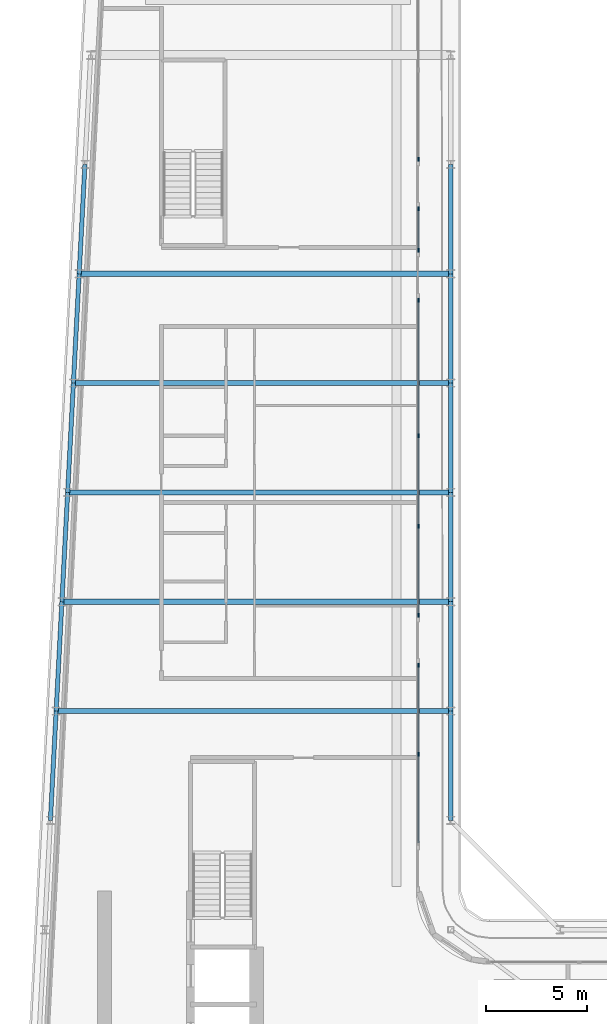
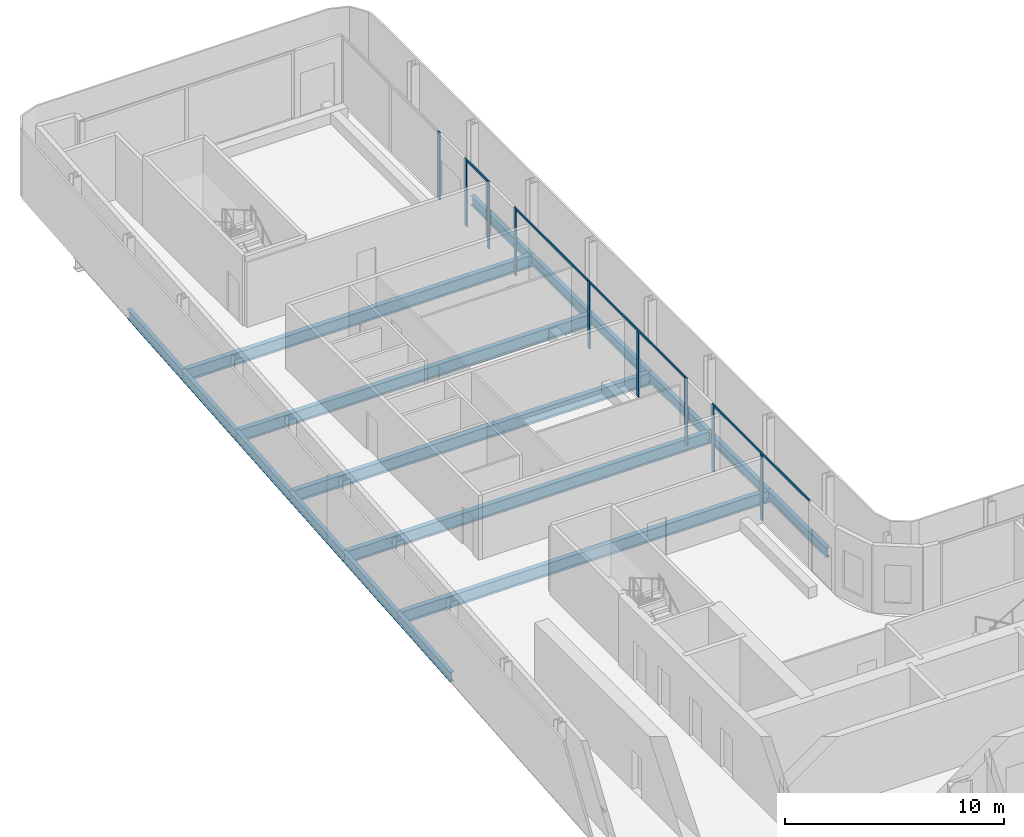
# One storey, part 6 of 21: 17 beams, 13 members, 5 elements without a shape of their own.
"""IFC4 building model written with IfcOpenShell, lengths in metres."""

from ifc_helpers import new_model, si_unit, direction, frame, origin, origin_2d, place, context, subcontext, project, spatial, rectangle, i_section, extrude, material, layer, layer_set, material_profile, profile_set, type_object, element, aggregate, save


model = new_model("IFC4")

# Units and contexts
model_context = context("Model", 3, precision=1e-05, world=origin(), true_north=direction((0.0, 1.0)))
body_context = subcontext(model_context, "Body", "Model", "MODEL_VIEW")
ifc_project = project(units=[si_unit("LENGTHUNIT", "METRE"), si_unit("AREAUNIT", "SQUARE_METRE"), si_unit("VOLUMEUNIT", "CUBIC_METRE"), si_unit("PLANEANGLEUNIT", "RADIAN"), si_unit("MASSUNIT", "GRAM", prefix="KILO")], contexts=[model_context])

# Site, building, storey
site_placement = place(None, origin())
site = spatial("IfcSite", under=ifc_project, at=site_placement, CompositionType="ELEMENT")
building_placement = place(site_placement, origin())
building = spatial("IfcBuilding", under=site, at=building_placement, Name="Kheshtan School and Residences Tower", CompositionType="ELEMENT")
storey_placement = place(building_placement, frame((0.0, 0.0, 227.89990234375)))
storey = spatial("IfcBuildingStorey", under=building, at=storey_placement, Name="L53", CompositionType="ELEMENT", Elevation=227.89990234375)

# Beams
ifc_material_1 = material(Name="Steel ASTM A992 Grade 50", Category="steel")
ifc_material_profile_1 = material_profile(ifc_material_1, i_section(OverallWidth=0.2529296875, OverallDepth=0.677978515625, WebThickness=0.01171875, FlangeThickness=0.016357421875, FilletRadius=0.0146484375, at=origin_2d()), Name="W690x125")
ifc_profile_set_1 = profile_set([ifc_material_profile_1], Name="Steel ASTM A992 Grade 50")
beam_type_1 = type_object("IfcBeamType", Name="Beam FB6 W690x125 ASTM A992 Grade 50", PredefinedType="BEAM", material=ifc_profile_set_1)
beam_1_placement = place(storey_placement, frame((47.60009765625, 78.0, -0.489013671875), z_axis=(-1.0, 0.0, 0.0), x_axis=(0.0, -1.0, 0.0)))
element("IfcBeam", 1, at=beam_1_placement, inside=storey, type_object=beam_type_1, Name="Floor beam C089", PredefinedType="BEAM", context=body_context, shape_type="SweptSolid", body=[
    extrude(i_section(OverallWidth=0.2529296875, OverallDepth=0.677978515625, WebThickness=0.01171875, FlangeThickness=0.016357421875, FilletRadius=0.0146484375, at=origin_2d()), origin(), (0.0, 0.0, 1.0), 18.357177734375),
])
beam_2_placement = place(storey_placement, frame((47.60009765625, 67.199951171875, -0.489013671875), z_axis=(-1.0, 0.0, 0.0), x_axis=(0.0, -1.0, 0.0)))
element("IfcBeam", 2, at=beam_2_placement, inside=storey, type_object=beam_type_1, Name="Floor beam C085", PredefinedType="BEAM", context=body_context, shape_type="SweptSolid", body=[
    extrude(i_section(OverallWidth=0.2529296875, OverallDepth=0.677978515625, WebThickness=0.01171875, FlangeThickness=0.016357421875, FilletRadius=0.0146484375, at=origin_2d()), origin(), (0.0, 0.0, 1.0), 18.926025390625),
])
beam_3_placement = place(storey_placement, frame((47.60009765625, 56.39990234375, -0.489013671875), z_axis=(-1.0, 0.0, 0.0), x_axis=(0.0, -1.0, 0.0)))
element("IfcBeam", 3, at=beam_3_placement, inside=storey, type_object=beam_type_1, Name="Floor beam C081", PredefinedType="BEAM", context=body_context, shape_type="SweptSolid", body=[
    extrude(i_section(OverallWidth=0.2529296875, OverallDepth=0.677978515625, WebThickness=0.01171875, FlangeThickness=0.016357421875, FilletRadius=0.0146484375, at=origin_2d()), origin(), (0.0, 0.0, 1.0), 19.494140625),
])
beam_4_placement = place(storey_placement, frame((28.389892578125, 61.800048828125, -0.489013671875), z_axis=(1.0, 0.0, 0.0), x_axis=(0.0, 1.0, 0.0)))
element("IfcBeam", 4, at=beam_4_placement, inside=storey, type_object=beam_type_1, Name="Floor beam C082", PredefinedType="BEAM", context=body_context, shape_type="SweptSolid", body=[
    extrude(i_section(OverallWidth=0.2529296875, OverallDepth=0.677978515625, WebThickness=0.01171875, FlangeThickness=0.016357421875, FilletRadius=0.0146484375, at=origin_2d()), origin(), (0.0, 0.0, 1.0), 19.210205078125),
])
beam_5_placement = place(storey_placement, frame((28.9580078125, 72.60009765625, -0.489013671875), z_axis=(1.0, 0.0, 0.0), x_axis=(0.0, 1.0, 0.0)))
element("IfcBeam", 5, at=beam_5_placement, inside=storey, type_object=beam_type_1, Name="Floor beam C086", PredefinedType="BEAM", context=body_context, shape_type="SweptSolid", body=[
    extrude(i_section(OverallWidth=0.2529296875, OverallDepth=0.677978515625, WebThickness=0.01171875, FlangeThickness=0.016357421875, FilletRadius=0.0146484375, at=origin_2d()), origin(), (0.0, 0.0, 1.0), 18.64208984375),
])
ifc_material_profile_2 = material_profile(ifc_material_1, i_section(OverallWidth=0.208984375, OverallDepth=0.532958984375, WebThickness=0.01025390625, FlangeThickness=0.015625, FilletRadius=0.013916015625, at=origin_2d()), Name="W530x92")
ifc_profile_set_2 = profile_set([ifc_material_profile_2], Name="Steel ASTM A992 Grade 50")
beam_type_2 = type_object("IfcBeamType", Name="Beam SP3 W530x92 ASTM A992 Grade 50", PredefinedType="BEAM", material=ifc_profile_set_2)
for number, where, z_axis, x_axis, name in (
    (6, (47.60009765625, 83.39990234375, -0.41650390625), (0.0, -1.0, 0.0), (1.0, 0.0, 0.0), "Spandrel beam C091-C089"),
    (7, (47.60009765625, 78.0, -0.41650390625), (0.0, -1.0, 0.0), (1.0, 0.0, 0.0), "Spandrel beam C089-C087"),
):
    element("IfcBeam", number, at=place(storey_placement, frame(where, z_axis=z_axis, x_axis=x_axis)), inside=storey, type_object=beam_type_2, Name=name, PredefinedType="BEAM", context=body_context, shape_type="SweptSolid", body=[
        extrude(i_section(OverallWidth=0.208984375, OverallDepth=0.532958984375, WebThickness=0.01025390625, FlangeThickness=0.015625, FilletRadius=0.013916015625, at=origin_2d()), origin(), (0.0, 0.0, 1.0), 5.39990234375),
    ])
beam_6_placement = place(storey_placement, frame((47.60009765625, 72.60009765625, -0.41650390625), z_axis=(0.0, -1.0, 0.0), x_axis=(1.0, 0.0, 0.0)))
element("IfcBeam", 8, at=beam_6_placement, inside=storey, type_object=beam_type_2, Name="Spandrel beam C087-C085", PredefinedType="BEAM", context=body_context, shape_type="SweptSolid", body=[
    extrude(i_section(OverallWidth=0.208984375, OverallDepth=0.532958984375, WebThickness=0.01025390625, FlangeThickness=0.015625, FilletRadius=0.013916015625, at=origin_2d()), origin(), (0.0, 0.0, 1.0), 5.400146484375),
])
beam_7_placement = place(storey_placement, frame((47.60009765625, 67.199951171875, -0.41650390625), z_axis=(0.0, -1.0, 0.0), x_axis=(1.0, 0.0, 0.0)))
element("IfcBeam", 9, at=beam_7_placement, inside=storey, type_object=beam_type_2, Name="Spandrel beam C085-C083", PredefinedType="BEAM", context=body_context, shape_type="SweptSolid", body=[
    extrude(i_section(OverallWidth=0.208984375, OverallDepth=0.532958984375, WebThickness=0.01025390625, FlangeThickness=0.015625, FilletRadius=0.013916015625, at=origin_2d()), origin(), (0.0, 0.0, 1.0), 5.39990234375),
])
beam_8_placement = place(storey_placement, frame((47.60009765625, 61.800048828125, -0.41650390625), z_axis=(0.0, -1.0, 0.0), x_axis=(1.0, 0.0, 0.0)))
element("IfcBeam", 10, at=beam_8_placement, inside=storey, type_object=beam_type_2, Name="Spandrel beam C083-C081", PredefinedType="BEAM", context=body_context, shape_type="SweptSolid", body=[
    extrude(i_section(OverallWidth=0.208984375, OverallDepth=0.532958984375, WebThickness=0.01025390625, FlangeThickness=0.015625, FilletRadius=0.013916015625, at=origin_2d()), origin(), (0.0, 0.0, 1.0), 5.400146484375),
])
beam_9_placement = place(storey_placement, frame((47.60009765625, 56.39990234375, -0.41650390625), z_axis=(0.0, -1.0, 0.0), x_axis=(1.0, 0.0, 0.0)))
element("IfcBeam", 11, at=beam_9_placement, inside=storey, type_object=beam_type_2, Name="Spandrel beam C081-C079", PredefinedType="BEAM", context=body_context, shape_type="SweptSolid", body=[
    extrude(i_section(OverallWidth=0.208984375, OverallDepth=0.532958984375, WebThickness=0.01025390625, FlangeThickness=0.015625, FilletRadius=0.013916015625, at=origin_2d()), origin(), (0.0, 0.0, 1.0), 5.39990234375),
])
beam_10_placement = place(storey_placement, frame((27.822021484375, 51.0, -0.41650390625), z_axis=(0.05250906864, 0.998620447272, 0.0), x_axis=(-0.998620447272, 0.05250906864, 0.0)))
element("IfcBeam", 12, at=beam_10_placement, inside=storey, type_object=beam_type_2, Name="Spandrel beam C078-C080", PredefinedType="BEAM", context=body_context, shape_type="SweptSolid", body=[
    extrude(i_section(OverallWidth=0.208984375, OverallDepth=0.532958984375, WebThickness=0.01025390625, FlangeThickness=0.015625, FilletRadius=0.013916015625, at=origin_2d()), origin(), (0.0, 0.0, 1.0), 5.407470703125),
])
beam_11_placement = place(storey_placement, frame((28.10595703125, 56.39990234375, -0.41650390625), z_axis=(0.05250670125, 0.998620571751, 0.0), x_axis=(-0.998620571751, 0.05250670125, 0.0)))
element("IfcBeam", 13, at=beam_11_placement, inside=storey, type_object=beam_type_2, Name="Spandrel beam C080-C082", PredefinedType="BEAM", context=body_context, shape_type="SweptSolid", body=[
    extrude(i_section(OverallWidth=0.208984375, OverallDepth=0.532958984375, WebThickness=0.01025390625, FlangeThickness=0.015625, FilletRadius=0.013916015625, at=origin_2d()), origin(), (0.0, 0.0, 1.0), 5.40771484375),
])
beam_12_placement = place(storey_placement, frame((28.389892578125, 61.800048828125, -0.41650390625), z_axis=(0.052554093665, 0.998618078766, 0.0), x_axis=(-0.998618078766, 0.052554093665, 0.0)))
element("IfcBeam", 14, at=beam_12_placement, inside=storey, type_object=beam_type_2, Name="Spandrel beam C082-C084", PredefinedType="BEAM", context=body_context, shape_type="SweptSolid", body=[
    extrude(i_section(OverallWidth=0.208984375, OverallDepth=0.532958984375, WebThickness=0.01025390625, FlangeThickness=0.015625, FilletRadius=0.013916015625, at=origin_2d()), origin(), (0.0, 0.0, 1.0), 5.407470703125),
])
beam_13_placement = place(storey_placement, frame((28.674072265625, 67.199951171875, -0.41650390625), z_axis=(0.05250670125, 0.998620571751, 0.0), x_axis=(-0.998620571751, 0.05250670125, 0.0)))
element("IfcBeam", 15, at=beam_13_placement, inside=storey, type_object=beam_type_2, Name="Spandrel beam C084-C086", PredefinedType="BEAM", context=body_context, shape_type="SweptSolid", body=[
    extrude(i_section(OverallWidth=0.208984375, OverallDepth=0.532958984375, WebThickness=0.01025390625, FlangeThickness=0.015625, FilletRadius=0.013916015625, at=origin_2d()), origin(), (0.0, 0.0, 1.0), 5.40771484375),
])
for number, where, z_axis, x_axis, name in (
    (16, (28.9580078125, 72.60009765625, -0.41650390625), (0.052689166816, 0.998610961136, 0.0), (-0.998610961136, 0.052689166816, 0.0), "Spandrel beam C086-C088"),
    (17, (29.242919921875, 78.0, -0.41650390625), (0.052554093665, 0.998618078766, 0.0), (-0.998618078766, 0.052554093665, 0.0), "Spandrel beam C088-C090"),
):
    element("IfcBeam", number, at=place(storey_placement, frame(where, z_axis=z_axis, x_axis=x_axis)), inside=storey, type_object=beam_type_2, Name=name, PredefinedType="BEAM", context=body_context, shape_type="SweptSolid", body=[
        extrude(i_section(OverallWidth=0.208984375, OverallDepth=0.532958984375, WebThickness=0.01025390625, FlangeThickness=0.015625, FilletRadius=0.013916015625, at=origin_2d()), origin(), (0.0, 0.0, 1.0), 5.407470703125),
    ])

# Curtain wall, member
ifc_material_2 = material(Name="Clear low-e glass in thermally broken aluminium frame", Category="aluminium")
ifc_layer = layer(ifc_material_2, 0.199951171875)
ifc_layer_set = layer_set([ifc_layer], Name="Curtain wall CW-L")
curtain_wall_type = type_object("IfcCurtainWallType", Name="Curtain wall CW-L", PredefinedType="NOTDEFINED", material=ifc_layer_set)
curtain_wall_1_placement = place(storey_placement, origin())
curtain_wall_1 = element("IfcCurtainWall", 18, at=curtain_wall_1_placement, inside=storey, type_object=curtain_wall_type, Name="Curtain wall CWL4b", PredefinedType="NOTDEFINED")
ifc_material_3 = material(Name="Thermally broken aluminium, dark bronze anodised", Category="aluminium")
ifc_material_profile_3 = material_profile(ifc_material_3, rectangle(XDim=0.06005859375, YDim=0.199951171875, at=origin_2d()), Name="CW-L mullion 60x200")
ifc_profile_set_3 = profile_set([ifc_material_profile_3], Name="Thermally broken aluminium, dark bronze anodised")
member_type_1 = type_object("IfcMemberType", Name="CW-L mullion 60x200", PredefinedType="MULLION", material=ifc_profile_set_3)
member_1_placement = place(storey_placement, frame((46.0, 83.66259765625, 0.0), z_axis=(0.0, 0.0, 1.0), x_axis=(1.0, 0.0, 0.0)))
member_1 = element("IfcMember", 19, at=member_1_placement, type_object=member_type_1, Name="CWL4b mullion 3", PredefinedType="MULLION", context=body_context, shape_type="SweptSolid", body=[
    extrude(rectangle(XDim=0.06005859375, YDim=0.199951171875, at=origin_2d()), origin(), (0.0, 0.0, 1.0), 3.75),
])
aggregate(curtain_wall_1, [member_1])

# Curtain wall, members
curtain_wall_2_placement = place(storey_placement, origin())
curtain_wall_2 = element("IfcCurtainWall", 20, at=curtain_wall_2_placement, inside=storey, type_object=curtain_wall_type, Name="Curtain wall CWL4c", PredefinedType="NOTDEFINED")
member_2_placement = place(storey_placement, frame((46.0, 81.202392578125, 0.0), z_axis=(0.0, 0.0, 1.0), x_axis=(1.0, 0.0, 0.0)))
member_2 = element("IfcMember", 21, at=member_2_placement, type_object=member_type_1, Name="CWL4c mullion 1", PredefinedType="MULLION", context=body_context, shape_type="SweptSolid", body=[
    extrude(rectangle(XDim=0.06005859375, YDim=0.199951171875, at=origin_2d()), origin(), (0.0, 0.0, 1.0), 3.75),
])
member_3_placement = place(storey_placement, frame((46.0, 79.16259765625, 0.0), z_axis=(0.0, 0.0, 1.0), x_axis=(1.0, 0.0, 0.0)))
member_3 = element("IfcMember", 22, at=member_3_placement, type_object=member_type_1, Name="CWL4c mullion 2", PredefinedType="MULLION", context=body_context, shape_type="SweptSolid", body=[
    extrude(rectangle(XDim=0.06005859375, YDim=0.199951171875, at=origin_2d()), origin(), (0.0, 0.0, 1.0), 3.75),
])

curtain_wall_3_placement = place(storey_placement, origin())
curtain_wall_3 = element("IfcCurtainWall", 23, at=curtain_wall_3_placement, inside=storey, type_object=curtain_wall_type, Name="Curtain wall CWL4d", PredefinedType="NOTDEFINED")
member_4_placement = place(storey_placement, frame((46.0, 76.702392578125, 0.0), z_axis=(0.0, 0.0, 1.0), x_axis=(1.0, 0.0, 0.0)))
member_4 = element("IfcMember", 24, at=member_4_placement, type_object=member_type_1, Name="CWL4d mullion 1", PredefinedType="MULLION", context=body_context, shape_type="SweptSolid", body=[
    extrude(rectangle(XDim=0.06005859375, YDim=0.199951171875, at=origin_2d()), origin(), (0.0, 0.0, 1.0), 3.75),
])
member_5_placement = place(storey_placement, frame((46.0, 69.9951171875, 0.0), z_axis=(0.0, 0.0, 1.0), x_axis=(1.0, 0.0, 0.0)))
member_5 = element("IfcMember", 25, at=member_5_placement, type_object=member_type_1, Name="CWL4d mullion 2", PredefinedType="MULLION", context=body_context, shape_type="SweptSolid", body=[
    extrude(rectangle(XDim=0.06005859375, YDim=0.199951171875, at=origin_2d()), origin(), (0.0, 0.0, 1.0), 3.75),
])

curtain_wall_4_placement = place(storey_placement, origin())
curtain_wall_4 = element("IfcCurtainWall", 26, at=curtain_wall_4_placement, inside=storey, type_object=curtain_wall_type, Name="Curtain wall CWL4b", PredefinedType="NOTDEFINED")
member_6_placement = place(storey_placement, frame((46.0, 65.53125, 0.0), z_axis=(0.0, 0.0, 1.0), x_axis=(1.0, 0.0, 0.0)))
member_6 = element("IfcMember", 27, at=member_6_placement, type_object=member_type_1, Name="CWL4b mullion 2", PredefinedType="MULLION", context=body_context, shape_type="SweptSolid", body=[
    extrude(rectangle(XDim=0.06005859375, YDim=0.199951171875, at=origin_2d()), origin(), (0.0, 0.0, 1.0), 3.630126953125),
])
member_7_placement = place(storey_placement, frame((46.0, 61.12744140625, 0.0), z_axis=(0.0, 0.0, 1.0), x_axis=(1.0, 0.0, 0.0)))
member_7 = element("IfcMember", 28, at=member_7_placement, type_object=member_type_1, Name="CWL4b mullion 3", PredefinedType="MULLION", context=body_context, shape_type="SweptSolid", body=[
    extrude(rectangle(XDim=0.06005859375, YDim=0.199951171875, at=origin_2d()), origin(), (0.0, 0.0, 1.0), 3.75),
])

curtain_wall_5_placement = place(storey_placement, origin())
curtain_wall_5 = element("IfcCurtainWall", 29, at=curtain_wall_5_placement, inside=storey, type_object=curtain_wall_type, Name="Curtain wall CWL4b", PredefinedType="NOTDEFINED")
member_8_placement = place(storey_placement, frame((46.0, 58.66748046875, 0.0), z_axis=(0.0, 0.0, 1.0), x_axis=(1.0, 0.0, 0.0)))
member_8 = element("IfcMember", 30, at=member_8_placement, type_object=member_type_1, Name="CWL4b mullion 1", PredefinedType="MULLION", context=body_context, shape_type="SweptSolid", body=[
    extrude(rectangle(XDim=0.06005859375, YDim=0.199951171875, at=origin_2d()), origin(), (0.0, 0.0, 1.0), 3.75),
])
member_9_placement = place(storey_placement, frame((46.0, 54.263671875, 0.0), z_axis=(0.0, 0.0, 1.0), x_axis=(1.0, 0.0, 0.0)))
member_9 = element("IfcMember", 31, at=member_9_placement, type_object=member_type_1, Name="CWL4b mullion 2", PredefinedType="MULLION", context=body_context, shape_type="SweptSolid", body=[
    extrude(rectangle(XDim=0.06005859375, YDim=0.199951171875, at=origin_2d()), origin(), (0.0, 0.0, 1.0), 3.630126953125),
])

# Member
ifc_material_profile_4 = material_profile(ifc_material_3, rectangle(XDim=0.06005859375, YDim=0.1201171875, at=origin_2d()), Name="CW-L transom 60x120")
ifc_profile_set_4 = profile_set([ifc_material_profile_4], Name="Thermally broken aluminium, dark bronze anodised")
member_type_2 = type_object("IfcMemberType", Name="CW-L transom 60x120", PredefinedType="USERDEFINED", material=ifc_profile_set_4)
member_10_placement = place(storey_placement, frame((46.0, 81.172607421875, 3.690185546875), z_axis=(0.0, -1.0, 0.0), x_axis=(1.0, 0.0, 0.0)))
member_10 = element("IfcMember", 32, at=member_10_placement, type_object=member_type_2, Name="CWL4c transom 1", ObjectType="TRANSOM", PredefinedType="USERDEFINED", context=body_context, shape_type="SweptSolid", body=[
    extrude(rectangle(XDim=0.06005859375, YDim=0.1201171875, at=origin_2d()), origin(), (0.0, 0.0, 1.0), 1.980224609375),
])

aggregate(curtain_wall_2, [member_2, member_3, member_10])

member_11_placement = place(storey_placement, frame((46.0, 76.672607421875, 3.690185546875), z_axis=(0.0, -1.0, 0.0), x_axis=(1.0, 0.0, 0.0)))
member_11 = element("IfcMember", 33, at=member_11_placement, type_object=member_type_2, Name="CWL4d transom 1", ObjectType="TRANSOM", PredefinedType="USERDEFINED", context=body_context, shape_type="SweptSolid", body=[
    extrude(rectangle(XDim=0.06005859375, YDim=0.1201171875, at=origin_2d()), origin(), (0.0, 0.0, 1.0), 6.647705078125),
])

aggregate(curtain_wall_3, [member_4, member_5, member_11])

member_12_placement = place(storey_placement, frame((46.0, 69.965087890625, 3.690185546875), z_axis=(0.0, -1.0, 0.0), x_axis=(1.0, 0.0, 0.0)))
member_12 = element("IfcMember", 34, at=member_12_placement, type_object=member_type_2, Name="CWL4b transom 1", ObjectType="TRANSOM", PredefinedType="USERDEFINED", context=body_context, shape_type="SweptSolid", body=[
    extrude(rectangle(XDim=0.06005859375, YDim=0.1201171875, at=origin_2d()), origin(), (0.0, 0.0, 1.0), 8.8076171875),
])

aggregate(curtain_wall_4, [member_6, member_7, member_12])

member_13_placement = place(storey_placement, frame((46.0, 58.637451171875, 3.690185546875), z_axis=(0.0, -1.0, 0.0), x_axis=(1.0, 0.0, 0.0)))
member_13 = element("IfcMember", 35, at=member_13_placement, type_object=member_type_2, Name="CWL4b transom 1", ObjectType="TRANSOM", PredefinedType="USERDEFINED", context=body_context, shape_type="SweptSolid", body=[
    extrude(rectangle(XDim=0.06005859375, YDim=0.1201171875, at=origin_2d()), origin(), (0.0, 0.0, 1.0), 8.74755859375),
])

aggregate(curtain_wall_5, [member_8, member_9, member_13])

save(model, "model.ifc")
